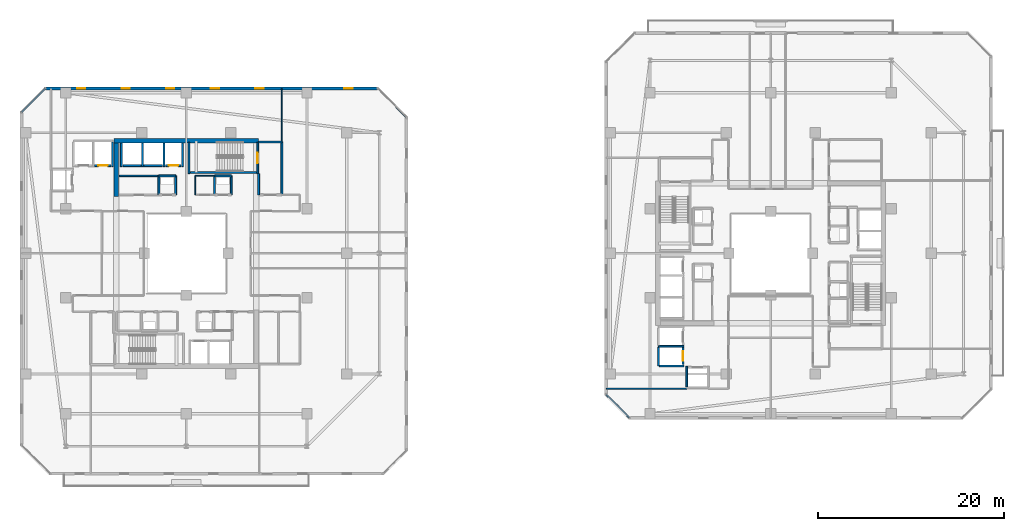
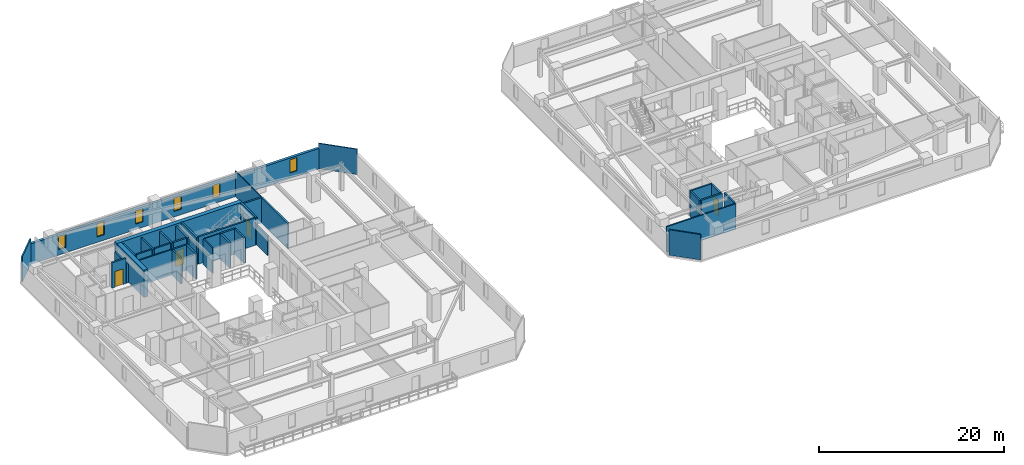
# One storey, part 22 of 33: 37 walls, 6 windows, 4 doors, 10 openings.
"""IFC4 building model written with IfcOpenShell, lengths in metres."""

from ifc_helpers import new_model, si_unit, direction, frame, frame_2d, origin, place, context, subcontext, project, spatial, rectangle, extrude, material, layer, layer_set, type_object, element, fill, save


model = new_model("IFC4")

# Units and contexts
model_context = context("Model", 3, precision=1e-05, world=origin(), true_north=direction((0.0, 1.0)))
body_context = subcontext(model_context, "Body", "Model", "MODEL_VIEW")
ifc_project = project(units=[si_unit("LENGTHUNIT", "METRE"), si_unit("AREAUNIT", "SQUARE_METRE"), si_unit("VOLUMEUNIT", "CUBIC_METRE"), si_unit("PLANEANGLEUNIT", "RADIAN"), si_unit("MASSUNIT", "GRAM", prefix="KILO")], contexts=[model_context])

# Site, building, storey
site_placement = place(None, origin())
site = spatial("IfcSite", under=ifc_project, at=site_placement, CompositionType="ELEMENT")
building_placement = place(site_placement, origin())
building = spatial("IfcBuilding", under=site, at=building_placement, Name="Thornwick Lancets Civic Towers", CompositionType="ELEMENT")
storey_placement = place(building_placement, frame((0.0, 0.0, 163.5)))
storey = spatial("IfcBuildingStorey", under=building, at=storey_placement, Name="L43", CompositionType="ELEMENT", Elevation=163.5)

# Wall, opening, door
ifc_material_1 = material(Name="Concrete blockwork C40/50", Category="masonry")
ifc_layer_1 = layer(ifc_material_1, 0.199951171875, Name="Concrete blockwork C40/50")
ifc_layer_set_1 = layer_set([ifc_layer_1], Name="Concrete blockwork C40/50")
wall_type_1 = type_object("IfcWallType", Name="WALL_COMP_200", PredefinedType="STANDARD", material=ifc_layer_set_1)
wall_1_placement = place(storey_placement, frame((24.919921875, 36.449951171875, 0.0), z_axis=(0.0, 0.0, 1.0), x_axis=(-1.0, 0.0, 0.0)))
wall_1 = element("IfcWall", 1, at=wall_1_placement, inside=storey, type_object=wall_type_1, Name="L43 Hoistway Front Wall FL-A2", PredefinedType="STANDARD", context=body_context, shape_type="SweptSolid", body=[
    extrude(rectangle(XDim=1.639892578125, YDim=0.199951171875, at=frame_2d((0.81982421875, 0.0))), origin(), (0.0, 0.0, 1.0), 3.340087890625),
])
opening_1_placement = place(wall_1_placement, frame((0.31005859375, 0.0, 0.0)))
opening_1 = element("IfcOpeningElement", 2, at=opening_1_placement, cuts=wall_1, Name="Opening LD-FL-A2", PredefinedType="OPENING", context=body_context, shape_type="SweptSolid", body=[
    extrude(rectangle(XDim=1.02001953125, YDim=2.06005859375, at=frame_2d((0.510009765625, 1.030029296875))), frame((0.0, 0.10986328125, 0.0), z_axis=(0.0, -1.0, 0.0), x_axis=(1.0, 0.0, 0.0)), (0.0, 0.0, 1.0), 0.219970703125),
])
ifc_material_2 = material(Name="Brushed bronze stainless steel", Category="steel")
door_type_1 = type_object("IfcDoorType", Name="DOOR_LIFT_SLIDE", OperationType="SLIDING_TO_LEFT", PredefinedType="DOOR", material=ifc_material_2)
door_1_placement = place(opening_1_placement, origin())
door_1 = element("IfcDoor", 3, at=door_1_placement, inside=storey, type_object=door_type_1, Name="L43 Sliding Lift Landing Door LD-FL-A2", OperationType="SLIDING_TO_LEFT", OverallHeight=2.06005859375, OverallWidth=1.02001953125, PredefinedType="DOOR", context=body_context, shape_type="SweptSolid", body=[
    extrude(rectangle(XDim=1.02001953125, YDim=2.06005859375, at=frame_2d((0.510009765625, 1.030029296875))), frame((0.0, 0.02490234375, 0.0), z_axis=(0.0, -1.0, 0.0), x_axis=(1.0, 0.0, 0.0)), (0.0, 0.0, 1.0), 0.050048828125),
])
fill(opening_1, door_1)

# Walls
wall_2_placement = place(storey_placement, frame((22.919921875, 36.449951171875, 0.0), z_axis=(0.0, 0.0, 1.0), x_axis=(-1.0, 0.0, 0.0)))
element("IfcWall", 4, at=wall_2_placement, inside=storey, type_object=wall_type_1, Name="L43 Hoistway Front Wall PL-AH2", PredefinedType="STANDARD", context=body_context, shape_type="SweptSolid", body=[
    extrude(rectangle(XDim=1.989990234375, YDim=0.199951171875, at=frame_2d((0.9951171875, 0.0))), origin(), (0.0, 0.0, 1.0), 3.340087890625),
])
wall_3_placement = place(storey_placement, frame((20.6201171875, 36.449951171875, 0.0), z_axis=(0.0, 0.0, 1.0), x_axis=(-1.0, 0.0, 0.0)))
element("IfcWall", 5, at=wall_3_placement, inside=storey, type_object=wall_type_1, Name="L43 Hoistway Front Wall PL-AH3", PredefinedType="STANDARD", context=body_context, shape_type="SweptSolid", body=[
    extrude(rectangle(XDim=1.940185546875, YDim=0.199951171875, at=frame_2d((0.97021484375, 0.0))), origin(), (0.0, 0.0, 1.0), 3.340087890625),
])

# Wall, opening, door
wall_4_placement = place(storey_placement, frame((17.3701171875, 36.449951171875, 0.0), z_axis=(0.0, 0.0, 1.0), x_axis=(-1.0, 0.0, 0.0)))
wall_4 = element("IfcWall", 6, at=wall_4_placement, inside=storey, type_object=wall_type_1, Name="L43 Hoistway Front Wall PL-AM1", PredefinedType="STANDARD", context=body_context, shape_type="SweptSolid", body=[
    extrude(rectangle(XDim=1.740234375, YDim=0.199951171875, at=frame_2d((0.8701171875, 0.0))), origin(), (0.0, 0.0, 1.0), 3.340087890625),
])
opening_2_placement = place(wall_4_placement, frame((0.360107421875, 0.0, 0.0)))
opening_2 = element("IfcOpeningElement", 7, at=opening_2_placement, cuts=wall_4, Name="Opening LD-PL-AM1", PredefinedType="OPENING", context=body_context, shape_type="SweptSolid", body=[
    extrude(rectangle(XDim=1.02001953125, YDim=2.06005859375, at=frame_2d((0.510009765625, 1.030029296875))), frame((0.0, 0.10986328125, 0.0), z_axis=(0.0, -1.0, 0.0), x_axis=(1.0, 0.0, 0.0)), (0.0, 0.0, 1.0), 0.219970703125),
])
door_2_placement = place(opening_2_placement, origin())
door_2 = element("IfcDoor", 8, at=door_2_placement, inside=storey, type_object=door_type_1, Name="L43 Sliding Lift Landing Door LD-PL-AM1", OperationType="SLIDING_TO_LEFT", OverallHeight=2.06005859375, OverallWidth=1.02001953125, PredefinedType="DOOR", context=body_context, shape_type="SweptSolid", body=[
    extrude(rectangle(XDim=1.02001953125, YDim=2.06005859375, at=frame_2d((0.510009765625, 1.030029296875))), frame((0.0, 0.02490234375, 0.0), z_axis=(0.0, -1.0, 0.0), x_axis=(1.0, 0.0, 0.0)), (0.0, 0.0, 1.0), 0.050048828125),
])
fill(opening_2, door_2)

wall_5_placement = place(storey_placement, frame((79.050048828125, 15.030029296875, 0.0), z_axis=(0.0, 0.0, 1.0), x_axis=(0.0, 1.0, 0.0)))
wall_5 = element("IfcWall", 9, at=wall_5_placement, inside=storey, type_object=wall_type_1, Name="L43 Hoistway Front Wall PL-BM2", PredefinedType="STANDARD", context=body_context, shape_type="SweptSolid", body=[
    extrude(rectangle(XDim=1.7900390625, YDim=0.199951171875, at=frame_2d((0.89501953125, 0.0))), origin(), (0.0, 0.0, 1.0), 3.340087890625),
])
opening_3_placement = place(wall_5_placement, frame((0.385009765625, 0.0, 0.0)))
opening_3 = element("IfcOpeningElement", 10, at=opening_3_placement, cuts=wall_5, Name="Opening LD-PL-BM2", PredefinedType="OPENING", context=body_context, shape_type="SweptSolid", body=[
    extrude(rectangle(XDim=1.02001953125, YDim=2.06005859375, at=frame_2d((0.510009765625, 1.030029296875))), frame((0.0, 0.10986328125, 0.0), z_axis=(0.0, -1.0, 0.0), x_axis=(1.0, 0.0, 0.0)), (0.0, 0.0, 1.0), 0.219970703125),
])
door_3_placement = place(opening_3_placement, origin())
door_3 = element("IfcDoor", 11, at=door_3_placement, inside=storey, type_object=door_type_1, Name="L43 Sliding Lift Landing Door LD-PL-BM2", OperationType="SLIDING_TO_LEFT", OverallHeight=2.06005859375, OverallWidth=1.02001953125, PredefinedType="DOOR", context=body_context, shape_type="SweptSolid", body=[
    extrude(rectangle(XDim=1.02001953125, YDim=2.06005859375, at=frame_2d((0.510009765625, 1.030029296875))), frame((0.0, 0.02490234375, 0.0), z_axis=(0.0, -1.0, 0.0), x_axis=(1.0, 0.0, 0.0)), (0.0, 0.0, 1.0), 0.050048828125),
])
fill(opening_3, door_3)

# Walls
for number, where, z_axis, x_axis, name in (
    (12, (25.10009765625, 36.35205078125, 0.0), (0.0, 0.0, 1.0), (0.0, 1.0, 0.0), "L43 Hoistway Shaft Wall FL-A2 E"),
    (13, (23.10009765625, 36.35205078125, 0.0), (0.0, 0.0, 1.0), (0.0, 1.0, 0.0), "L43 Hoistway Shaft Wall FL-A2 W"),
    (14, (20.77490234375, 36.35205078125, 0.0), (0.0, 0.0, 1.0), (0.0, 1.0, 0.0), "L43 Hoistway Shaft Wall PL-AH2 W"),
    (15, (18.5, 36.35205078125, 0.0), (0.0, 0.0, 1.0), (0.0, 1.0, 0.0), "L43 Hoistway Shaft Wall PL-AH3 W"),
):
    element("IfcWall", number, at=place(storey_placement, frame(where, z_axis=z_axis, x_axis=x_axis)), inside=storey, type_object=wall_type_1, Name=name, PredefinedType="STANDARD", context=body_context, shape_type="SweptSolid", body=[
        extrude(rectangle(XDim=2.535888671875, YDim=0.199951171875, at=frame_2d((1.26806640625, 0.0))), origin(), (0.0, 0.0, 1.0), 3.340087890625),
    ])
wall_6_placement = place(storey_placement, frame((17.550048828125, 36.35205078125, 0.0), z_axis=(0.0, 0.0, 1.0), x_axis=(0.0, 1.0, 0.0)))
element("IfcWall", 16, at=wall_6_placement, inside=storey, type_object=wall_type_1, Name="L43 Hoistway Shaft Wall PL-AM1 E", PredefinedType="STANDARD", context=body_context, shape_type="SweptSolid", body=[
    extrude(rectangle(XDim=2.635986328125, YDim=0.199951171875, at=frame_2d((1.31787109375, 0.0))), origin(), (0.0, 0.0, 1.0), 2.544921875),
])
wall_7_placement = place(storey_placement, frame((76.402099609375, 16.97509765625, 0.0), z_axis=(0.0, 0.0, 1.0), x_axis=(1.0, 0.0, 0.0)))
element("IfcWall", 17, at=wall_7_placement, inside=storey, type_object=wall_type_1, Name="L43 Hoistway Shaft Wall PL-BM1 S", PredefinedType="STANDARD", context=body_context, shape_type="SweptSolid", body=[
    extrude(rectangle(XDim=2.745849609375, YDim=0.199951171875, at=frame_2d((1.373046875, 0.0))), origin(), (0.0, 0.0, 1.0), 3.340087890625),
])
wall_8_placement = place(storey_placement, frame((76.39990234375, 14.85205078125, 0.0), z_axis=(0.0, 0.0, 1.0), x_axis=(0.0, 1.0, 0.0)))
element("IfcWall", 18, at=wall_8_placement, inside=storey, type_object=wall_type_1, Name="L43 Hoistway Shaft Wall PL-BM1 W", PredefinedType="STANDARD", context=body_context, shape_type="SweptSolid", body=[
    extrude(rectangle(XDim=2.015869140625, YDim=0.199951171875, at=frame_2d((1.0078125, 0.0))), origin(), (0.0, 0.0, 1.0), 3.340087890625),
])
wall_9_placement = place(storey_placement, frame((76.511962890625, 14.85009765625, 0.0), z_axis=(0.0, 0.0, 1.0), x_axis=(1.0, 0.0, 0.0)))
element("IfcWall", 19, at=wall_9_placement, inside=storey, type_object=wall_type_1, Name="L43 Hoistway Shaft Wall PL-BM2 S", PredefinedType="STANDARD", context=body_context, shape_type="SweptSolid", body=[
    extrude(rectangle(XDim=2.635986328125, YDim=0.199951171875, at=frame_2d((1.31787109375, 0.0))), origin(), (0.0, 0.0, 1.0), 3.340087890625),
])
wall_10_placement = place(storey_placement, frame((79.449951171875, 12.612060546875, 0.0), z_axis=(0.0, 0.0, 1.0), x_axis=(0.0, 1.0, 0.0)))
element("IfcWall", 20, at=wall_10_placement, inside=storey, type_object=wall_type_1, Name="L43 Hoistway Shaft Wall PL-BM3 W", PredefinedType="STANDARD", context=body_context, shape_type="SweptSolid", body=[
    extrude(rectangle(XDim=2.18603515625, YDim=0.199951171875, at=frame_2d((1.093017578125, 0.0))), origin(), (0.0, 0.0, 1.0), 3.340087890625),
])
wall_11_placement = place(storey_placement, frame((35.800048828125, 33.300048828125, 0.0), z_axis=(0.0, 0.0, 1.0), x_axis=(0.0, 1.0, 0.0)))
element("IfcWall", 21, at=wall_11_placement, inside=storey, type_object=wall_type_1, Name="L43 Partition L43-A-FFLOB2 E2", PredefinedType="STANDARD", context=body_context, shape_type="SweptSolid", body=[
    extrude(rectangle(XDim=5.699951171875, YDim=0.199951171875, at=frame_2d((2.85009765625, 0.0))), origin(), (0.0, 0.0, 1.0), 3.340087890625),
])
wall_12_placement = place(storey_placement, frame((35.800048828125, 39.0, 0.0), z_axis=(0.0, 0.0, 1.0), x_axis=(-1.0, 0.0, 0.0)))
element("IfcWall", 22, at=wall_12_placement, inside=storey, type_object=wall_type_1, Name="L43 Partition L43-A-FFLOB2 E3", PredefinedType="STANDARD", context=body_context, shape_type="SweptSolid", body=[
    extrude(rectangle(XDim=2.5, YDim=0.199951171875, at=frame_2d((1.25, 0.0))), origin(), (0.0, 0.0, 1.0), 3.340087890625),
])
wall_13_placement = place(storey_placement, frame((33.300048828125, 35.60009765625, 0.0), z_axis=(0.0, 0.0, 1.0), x_axis=(0.0, -1.0, 0.0)))
element("IfcWall", 23, at=wall_13_placement, inside=storey, type_object=wall_type_1, Name="L43 Partition L43-A-FFLOB2 E4", PredefinedType="STANDARD", context=body_context, shape_type="SweptSolid", body=[
    extrude(rectangle(XDim=2.300048828125, YDim=0.199951171875, at=frame_2d((1.14990234375, 0.0))), origin(), (0.0, 0.0, 1.0), 2.544921875),
])
wall_14_placement = place(storey_placement, frame((24.35009765625, 33.300048828125, 0.0), z_axis=(0.0, 0.0, 1.0), x_axis=(0.0, 1.0, 0.0)))
element("IfcWall", 24, at=wall_14_placement, inside=storey, type_object=wall_type_1, Name="L43 Partition L43-A-DUCT2 E2", PredefinedType="STANDARD", context=body_context, shape_type="SweptSolid", body=[
    extrude(rectangle(XDim=2.050048828125, YDim=0.199951171875, at=frame_2d((1.02490234375, 0.0))), origin(), (0.0, 0.0, 1.0), 3.340087890625),
])
wall_15_placement = place(storey_placement, frame((24.35009765625, 35.35009765625, 0.0), z_axis=(0.0, 0.0, 1.0), x_axis=(-1.0, 0.0, 0.0)))
element("IfcWall", 25, at=wall_15_placement, inside=storey, type_object=wall_type_1, Name="L43 Partition L43-A-DUCT2 E3", PredefinedType="STANDARD", context=body_context, shape_type="SweptSolid", body=[
    extrude(rectangle(XDim=1.800048828125, YDim=0.199951171875, at=frame_2d((0.89990234375, 0.0))), origin(), (0.0, 0.0, 1.0), 3.340087890625),
])
for number, where, z_axis, x_axis, name in (
    (26, (22.550048828125, 35.35009765625, 0.0), (0.0, 0.0, 1.0), (0.0, -1.0, 0.0), "L43 Partition L43-A-DUCT2 E4"),
    (27, (30.35009765625, 33.300048828125, 0.0), (0.0, 0.0, 1.0), (0.0, 1.0, 0.0), "L43 Partition L43-A-RISER2 E2"),
):
    element("IfcWall", number, at=place(storey_placement, frame(where, z_axis=z_axis, x_axis=x_axis)), inside=storey, type_object=wall_type_1, Name=name, PredefinedType="STANDARD", context=body_context, shape_type="SweptSolid", body=[
        extrude(rectangle(XDim=2.050048828125, YDim=0.199951171875, at=frame_2d((1.02490234375, 0.0))), origin(), (0.0, 0.0, 1.0), 3.340087890625),
    ])
wall_16_placement = place(storey_placement, frame((30.35009765625, 35.35009765625, 0.0), z_axis=(0.0, 0.0, 1.0), x_axis=(-1.0, 0.0, 0.0)))
element("IfcWall", 28, at=wall_16_placement, inside=storey, type_object=wall_type_1, Name="L43 Partition L43-A-RISER2 E3", PredefinedType="STANDARD", context=body_context, shape_type="SweptSolid", body=[
    extrude(rectangle(XDim=1.800048828125, YDim=0.199951171875, at=frame_2d((0.89990234375, 0.0))), origin(), (0.0, 0.0, 1.0), 3.340087890625),
])
wall_17_placement = place(storey_placement, frame((28.550048828125, 35.35009765625, 0.0), z_axis=(0.0, 0.0, 1.0), x_axis=(0.0, -1.0, 0.0)))
element("IfcWall", 29, at=wall_17_placement, inside=storey, type_object=wall_type_1, Name="L43 Partition L43-A-RISER2 E4", PredefinedType="STANDARD", context=body_context, shape_type="SweptSolid", body=[
    extrude(rectangle(XDim=2.050048828125, YDim=0.199951171875, at=frame_2d((1.02490234375, 0.0))), origin(), (0.0, 0.0, 1.0), 3.340087890625),
])
ifc_material_3 = material(Name="Concrete C50/60", Category="concrete")
ifc_layer_2 = layer(ifc_material_3, 0.5, Name="Concrete C50/60")
ifc_layer_set_2 = layer_set([ifc_layer_2], Name="Concrete C50/60")
wall_type_2 = type_object("IfcWallType", Name="WALL_CORE_500", PredefinedType="SHEAR", material=ifc_layer_set_2)
wall_18_placement = place(storey_placement, frame((17.699951171875, 39.14990234375, 0.0), z_axis=(0.0, 0.0, 1.0), x_axis=(1.0, 0.0, 0.0)))
element("IfcWall", 30, at=wall_18_placement, inside=storey, type_object=wall_type_2, Name="L43 Split Core A2 Shear Wall N", PredefinedType="SHEAR", context=body_context, shape_type="SweptSolid", body=[
    extrude(rectangle(XDim=15.60009765625, YDim=0.5, at=frame_2d((7.800048828125, 0.0))), origin(), (0.0, 0.0, 1.0), 3.60009765625),
])
wall_19_placement = place(storey_placement, frame((17.949951171875, 33.10009765625, 0.0), z_axis=(0.0, 0.0, 1.0), x_axis=(0.0, 1.0, 0.0)))
element("IfcWall", 31, at=wall_19_placement, inside=storey, type_object=wall_type_2, Name="L43 Split Core A2 Shear Wall W", PredefinedType="SHEAR", context=body_context, shape_type="SweptSolid", body=[
    extrude(rectangle(XDim=5.7998046875, YDim=0.5, at=frame_2d((2.89990234375, 0.0))), origin(), (0.0, 0.0, 1.0), 3.60009765625),
])

# Wall, openings, windows
ifc_material_4 = material(Name="Insulated buff terracotta rainscreen on concrete C40/50", Category="masonry")
ifc_layer_3 = layer(ifc_material_4, 0.320068359375, Name="Insulated buff terracotta rainscreen on concrete C40/50")
ifc_layer_set_3 = layer_set([ifc_layer_3], Name="Insulated buff terracotta rainscreen on concrete C40/50")
wall_type_3 = type_object("IfcWallType", Name="WALL_EXT_TERRA_320", PredefinedType="STANDARD", material=ifc_layer_set_3)
wall_20_placement = place(storey_placement, frame((46.12939453125, 44.7626953125, 0.0), z_axis=(0.0, 0.0, 1.0), x_axis=(-0.999999998513, 5.4540124e-05, 0.0)))
wall_20 = element("IfcWall", 32, at=wall_20_placement, inside=storey, type_object=wall_type_3, Name="L43 Tower A Terracotta Facade Wall E4", PredefinedType="STANDARD", context=body_context, shape_type="SweptSolid", body=[
    extrude(rectangle(XDim=35.810791015625, YDim=0.320068359375, at=frame_2d((17.9052734375, 0.0))), origin(), (0.0, 0.0, 1.0), 2.699951171875),
])
opening_4_placement = place(wall_20_placement, frame((2.699951171875, 0.0, 0.719970703125)))
opening_4 = element("IfcOpeningElement", 33, at=opening_4_placement, cuts=wall_20, Name="Opening WL-01", PredefinedType="OPENING", context=body_context, shape_type="SweptSolid", body=[
    extrude(rectangle(XDim=0.89990234375, YDim=1.75, at=frame_2d((0.449951171875, 0.875))), frame((0.0, 0.169921875, 0.0), z_axis=(0.0, -1.0, 0.0), x_axis=(1.0, 0.0, 0.0)), (0.0, 0.0, 1.0), 0.340087890625),
])
opening_5_placement = place(wall_20_placement, frame((12.300048828125, 0.0, 0.719970703125)))
opening_5 = element("IfcOpeningElement", 34, at=opening_5_placement, cuts=wall_20, Name="Opening WL-01", PredefinedType="OPENING", context=body_context, shape_type="SweptSolid", body=[
    extrude(rectangle(XDim=0.89990234375, YDim=1.75, at=frame_2d((0.449951171875, 0.875))), frame((0.0, 0.169921875, 0.0), z_axis=(0.0, -1.0, 0.0), x_axis=(1.0, 0.0, 0.0)), (0.0, 0.0, 1.0), 0.340087890625),
])
opening_6_placement = place(wall_20_placement, frame((17.10009765625, 0.0, 0.719970703125)))
opening_6 = element("IfcOpeningElement", 35, at=opening_6_placement, cuts=wall_20, Name="Opening WL-01", PredefinedType="OPENING", context=body_context, shape_type="SweptSolid", body=[
    extrude(rectangle(XDim=0.89990234375, YDim=1.75, at=frame_2d((0.449951171875, 0.875))), frame((0.0, 0.169921875, 0.0), z_axis=(0.0, -1.0, 0.0), x_axis=(1.0, 0.0, 0.0)), (0.0, 0.0, 1.0), 0.340087890625),
])
opening_7_placement = place(wall_20_placement, frame((21.89990234375, 0.0, 0.719970703125)))
opening_7 = element("IfcOpeningElement", 36, at=opening_7_placement, cuts=wall_20, Name="Opening WL-01", PredefinedType="OPENING", context=body_context, shape_type="SweptSolid", body=[
    extrude(rectangle(XDim=0.89990234375, YDim=1.75, at=frame_2d((0.449951171875, 0.875))), frame((0.0, 0.169921875, 0.0), z_axis=(0.0, -1.0, 0.0), x_axis=(1.0, 0.0, 0.0)), (0.0, 0.0, 1.0), 0.340087890625),
])
opening_8_placement = place(wall_20_placement, frame((26.699951171875, 0.0, 0.719970703125)))
opening_8 = element("IfcOpeningElement", 37, at=opening_8_placement, cuts=wall_20, Name="Opening WL-01", PredefinedType="OPENING", context=body_context, shape_type="SweptSolid", body=[
    extrude(rectangle(XDim=0.89990234375, YDim=1.75, at=frame_2d((0.449951171875, 0.875))), frame((0.0, 0.169921875, 0.0), z_axis=(0.0, -1.0, 0.0), x_axis=(1.0, 0.0, 0.0)), (0.0, 0.0, 1.0), 0.340087890625),
])
opening_9_placement = place(wall_20_placement, frame((31.5, 0.0, 0.719970703125)))
opening_9 = element("IfcOpeningElement", 38, at=opening_9_placement, cuts=wall_20, Name="Opening WL-01", PredefinedType="OPENING", context=body_context, shape_type="SweptSolid", body=[
    extrude(rectangle(XDim=0.89990234375, YDim=1.75, at=frame_2d((0.449951171875, 0.875))), frame((0.0, 0.169921875, 0.0), z_axis=(0.0, -1.0, 0.0), x_axis=(1.0, 0.0, 0.0)), (0.0, 0.0, 1.0), 0.340087890625),
])
ifc_material_5 = material(Name="Clear low-e double glazing in bronze frame", Category="glass")
window_type = type_object("IfcWindowType", Name="WIN_LANCET_900", PartitioningType="SINGLE_PANEL", PredefinedType="WINDOW", material=ifc_material_5)
window_1_placement = place(opening_4_placement, origin())
window_1 = element("IfcWindow", 39, at=window_1_placement, inside=storey, type_object=window_type, Name="L43 Tower A Staggered Lancet Window E4-1", OverallHeight=1.75, OverallWidth=0.89990234375, PartitioningType="SINGLE_PANEL", PredefinedType="WINDOW", context=body_context, shape_type="SweptSolid", body=[
    extrude(rectangle(XDim=0.89990234375, YDim=1.75, at=frame_2d((0.449951171875, 0.875))), frame((0.0, 0.030029296875, 0.0), z_axis=(0.0, -1.0, 0.0), x_axis=(1.0, 0.0, 0.0)), (0.0, 0.0, 1.0), 0.06005859375),
])
fill(opening_4, window_1)
window_2_placement = place(opening_5_placement, origin())
window_2 = element("IfcWindow", 40, at=window_2_placement, inside=storey, type_object=window_type, Name="L43 Tower A Staggered Lancet Window E4-2", OverallHeight=1.75, OverallWidth=0.89990234375, PartitioningType="SINGLE_PANEL", PredefinedType="WINDOW", context=body_context, shape_type="SweptSolid", body=[
    extrude(rectangle(XDim=0.89990234375, YDim=1.75, at=frame_2d((0.449951171875, 0.875))), frame((0.0, 0.030029296875, 0.0), z_axis=(0.0, -1.0, 0.0), x_axis=(1.0, 0.0, 0.0)), (0.0, 0.0, 1.0), 0.06005859375),
])
fill(opening_5, window_2)
window_3_placement = place(opening_6_placement, origin())
window_3 = element("IfcWindow", 41, at=window_3_placement, inside=storey, type_object=window_type, Name="L43 Tower A Staggered Lancet Window E4-3", OverallHeight=1.75, OverallWidth=0.89990234375, PartitioningType="SINGLE_PANEL", PredefinedType="WINDOW", context=body_context, shape_type="SweptSolid", body=[
    extrude(rectangle(XDim=0.89990234375, YDim=1.75, at=frame_2d((0.449951171875, 0.875))), frame((0.0, 0.030029296875, 0.0), z_axis=(0.0, -1.0, 0.0), x_axis=(1.0, 0.0, 0.0)), (0.0, 0.0, 1.0), 0.06005859375),
])
fill(opening_6, window_3)
window_4_placement = place(opening_7_placement, origin())
window_4 = element("IfcWindow", 42, at=window_4_placement, inside=storey, type_object=window_type, Name="L43 Tower A Staggered Lancet Window E4-4", OverallHeight=1.75, OverallWidth=0.89990234375, PartitioningType="SINGLE_PANEL", PredefinedType="WINDOW", context=body_context, shape_type="SweptSolid", body=[
    extrude(rectangle(XDim=0.89990234375, YDim=1.75, at=frame_2d((0.449951171875, 0.875))), frame((0.0, 0.030029296875, 0.0), z_axis=(0.0, -1.0, 0.0), x_axis=(1.0, 0.0, 0.0)), (0.0, 0.0, 1.0), 0.06005859375),
])
fill(opening_7, window_4)
window_5_placement = place(opening_8_placement, origin())
window_5 = element("IfcWindow", 43, at=window_5_placement, inside=storey, type_object=window_type, Name="L43 Tower A Staggered Lancet Window E4-5", OverallHeight=1.75, OverallWidth=0.89990234375, PartitioningType="SINGLE_PANEL", PredefinedType="WINDOW", context=body_context, shape_type="SweptSolid", body=[
    extrude(rectangle(XDim=0.89990234375, YDim=1.75, at=frame_2d((0.449951171875, 0.875))), frame((0.0, 0.030029296875, 0.0), z_axis=(0.0, -1.0, 0.0), x_axis=(1.0, 0.0, 0.0)), (0.0, 0.0, 1.0), 0.06005859375),
])
fill(opening_8, window_5)
window_6_placement = place(opening_9_placement, origin())
window_6 = element("IfcWindow", 44, at=window_6_placement, inside=storey, type_object=window_type, Name="L43 Tower A Staggered Lancet Window E4-6", OverallHeight=1.75, OverallWidth=0.89990234375, PartitioningType="SINGLE_PANEL", PredefinedType="WINDOW", context=body_context, shape_type="SweptSolid", body=[
    extrude(rectangle(XDim=0.89990234375, YDim=1.75, at=frame_2d((0.449951171875, 0.875))), frame((0.0, 0.030029296875, 0.0), z_axis=(0.0, -1.0, 0.0), x_axis=(1.0, 0.0, 0.0)), (0.0, 0.0, 1.0), 0.06005859375),
])
fill(opening_9, window_6)

# Walls
ifc_material_6 = material(Name="Acoustic gypsum board partition")
ifc_layer_4 = layer(ifc_material_6, 0.1201171875, Name="Acoustic gypsum board partition")
ifc_layer_set_4 = layer_set([ifc_layer_4], Name="Acoustic gypsum board partition")
wall_type_4 = type_object("IfcWallType", Name="WALL_PART_120", PredefinedType="PARTITIONING", material=ifc_layer_set_4)
wall_21_placement = place(storey_placement, frame((26.449951171875, 33.300048828125, 0.0), z_axis=(0.0, 0.0, 1.0), x_axis=(0.0, 1.0, 0.0)))
element("IfcWall", 45, at=wall_21_placement, inside=storey, type_object=wall_type_4, Name="L43 Partition L43-A-ITR E1", PredefinedType="PARTITIONING", context=body_context, shape_type="SweptSolid", body=[
    extrude(rectangle(XDim=2.050048828125, YDim=0.1201171875, at=frame_2d((1.02490234375, 0.0))), origin(), (0.0, 0.0, 1.0), 3.340087890625),
])
wall_22_placement = place(storey_placement, frame((26.449951171875, 35.35009765625, 0.0), z_axis=(0.0, 0.0, 1.0), x_axis=(1.0, 0.0, 0.0)))
element("IfcWall", 46, at=wall_22_placement, inside=storey, type_object=wall_type_4, Name="L43 Partition L43-A-ITR E2", PredefinedType="PARTITIONING", context=body_context, shape_type="SweptSolid", body=[
    extrude(rectangle(XDim=2.10009765625, YDim=0.1201171875, at=frame_2d((1.050048828125, 0.0))), origin(), (0.0, 0.0, 1.0), 3.340087890625),
])
wall_23_placement = place(storey_placement, frame((35.800048828125, 39.0, 0.0), z_axis=(0.0, 0.0, 1.0), x_axis=(0.0, 1.0, 0.0)))
element("IfcWall", 47, at=wall_23_placement, inside=storey, type_object=wall_type_4, Name="L43 Partition L43-A-E4 E6", PredefinedType="PARTITIONING", context=body_context, shape_type="SweptSolid", body=[
    extrude(rectangle(XDim=5.719970703125, YDim=0.1201171875, at=frame_2d((2.85986328125, 0.0))), origin(), (0.0, 0.0, 1.0), 3.340087890625),
])
wall_24_placement = place(storey_placement, frame((46.17138671875, 44.719970703125, 0.0), z_axis=(0.0, 0.0, 1.0), x_axis=(0.707106781187, -0.707106781187, 0.0)))
element("IfcWall", 48, at=wall_24_placement, inside=storey, type_object=wall_type_4, Name="L43 Partition L43-A-E4 E8", PredefinedType="PARTITIONING", context=body_context, shape_type="SweptSolid", body=[
    extrude(rectangle(XDim=4.311279296875, YDim=0.1201171875, at=frame_2d((2.15576171875, 0.0))), origin(), (0.0, 0.0, 1.0), 3.340087890625),
])
ifc_material_7 = material(Name="Twin-stud acoustic gypsum board")
ifc_layer_5 = layer(ifc_material_7, 0.14990234375, Name="Twin-stud acoustic gypsum board")
ifc_layer_set_5 = layer_set([ifc_layer_5], Name="Twin-stud acoustic gypsum board")
wall_type_5 = type_object("IfcWallType", Name="WALL_PART_150", PredefinedType="PARTITIONING", material=ifc_layer_set_5)
wall_25_placement = place(storey_placement, frame((18.300048828125, 35.35009765625, 0.0), z_axis=(0.0, 0.0, 1.0), x_axis=(1.0, 0.0, 0.0)))
element("IfcWall", 49, at=wall_25_placement, inside=storey, type_object=wall_type_5, Name="L43 Partition L43-A-FWC E2", PredefinedType="PARTITIONING", context=body_context, shape_type="SweptSolid", body=[
    extrude(rectangle(XDim=4.25, YDim=0.14990234375, at=frame_2d((2.125, 0.0))), origin(), (0.0, 0.0, 1.0), 3.340087890625),
])
for number, where, z_axis, x_axis, name in (
    (50, (7.780029296875, 42.225341796875, 0.0), (0.0, 0.0, 1.0), (0.707106781187, 0.707106781187, 0.0), "L43 Partition L43-A-W2 E5"),
    (51, (73.274658203125, 9.280029296875, 0.0), (0.0, 0.0, 1.0), (-0.707106781187, 0.707106781187, 0.0), "L43 Partition L43-B-W2 E5"),
):
    element("IfcWall", number, at=place(storey_placement, frame(where, z_axis=z_axis, x_axis=x_axis)), inside=storey, type_object=wall_type_5, Name=name, PredefinedType="PARTITIONING", context=body_context, shape_type="SweptSolid", body=[
        extrude(rectangle(XDim=3.52783203125, YDim=0.14990234375, at=frame_2d((1.763916015625, 0.0))), origin(), (0.0, 0.0, 1.0), 3.340087890625),
    ])
wall_26_placement = place(storey_placement, frame((70.780029296875, 12.39990234375, 0.0), z_axis=(0.0, 0.0, 1.0), x_axis=(1.0, 0.0, 0.0)))
element("IfcWall", 52, at=wall_26_placement, inside=storey, type_object=wall_type_5, Name="L43 Partition L43-B-W2 E7", PredefinedType="PARTITIONING", context=body_context, shape_type="SweptSolid", body=[
    extrude(rectangle(XDim=8.671875, YDim=0.14990234375, at=frame_2d((4.3359375, 0.0))), origin(), (0.0, 0.0, 1.0), 3.340087890625),
])

# Wall, opening, door
ifc_material_8 = material(Name="Concrete C40/50", Category="concrete")
ifc_layer_6 = layer(ifc_material_8, 0.199951171875, Name="Concrete C40/50")
ifc_layer_set_6 = layer_set([ifc_layer_6], Name="Concrete C40/50")
wall_type_6 = type_object("IfcWallType", Name="WALL_SHAFT_200", PredefinedType="SHEAR", material=ifc_layer_set_6)
wall_27_placement = place(storey_placement, frame((33.199951171875, 38.949951171875, 0.0), z_axis=(0.0, 0.0, 1.0), x_axis=(0.0, -1.0, 0.0)))
wall_27 = element("IfcWall", 53, at=wall_27_placement, inside=storey, type_object=wall_type_6, Name="L43 ST-A2 Fire Stair Core Wall NEAR", PredefinedType="SHEAR", context=body_context, shape_type="SweptSolid", body=[
    extrude(rectangle(XDim=3.349853515625, YDim=0.199951171875, at=frame_2d((1.6748046875, 0.0))), origin(), (0.0, 0.0, 1.0), 3.60009765625),
])
opening_10_placement = place(wall_27_placement, frame((1.125, 0.0, 0.0)))
opening_10 = element("IfcOpeningElement", 54, at=opening_10_placement, cuts=wall_27, Name="Opening D-ST-A2-L43", PredefinedType="OPENING", context=body_context, shape_type="SweptSolid", body=[
    extrude(rectangle(XDim=1.10009765625, YDim=2.10009765625, at=frame_2d((0.550048828125, 1.050048828125))), frame((0.0, 0.10986328125, 0.0), z_axis=(0.0, -1.0, 0.0), x_axis=(1.0, 0.0, 0.0)), (0.0, 0.0, 1.0), 0.219970703125),
])
ifc_material_9 = material(Name="Fire-resisting steel and hardwood", Category="steel")
door_type_2 = type_object("IfcDoorType", Name="DOOR_STAIR_FD60", OperationType="NOTDEFINED", PredefinedType="DOOR", material=ifc_material_9)
door_4_placement = place(opening_10_placement, origin())
door_4 = element("IfcDoor", 55, at=door_4_placement, inside=storey, type_object=door_type_2, Name="L43 ST-A2 Exit Stair Door", OperationType="SINGLE_SWING_LEFT", OverallHeight=2.10009765625, OverallWidth=1.10009765625, PredefinedType="DOOR", context=body_context, shape_type="SweptSolid", body=[
    extrude(rectangle(XDim=1.10009765625, YDim=2.10009765625, at=frame_2d((0.550048828125, 1.050048828125))), frame((0.0, 0.02490234375, 0.0), z_axis=(0.0, -1.0, 0.0), x_axis=(1.0, 0.0, 0.0)), (0.0, 0.0, 1.0), 0.050048828125),
])
fill(opening_10, door_4)

# Walls
wall_28_placement = place(storey_placement, frame((25.800048828125, 35.60009765625, 0.0), z_axis=(0.0, 0.0, 1.0), x_axis=(0.0, 1.0, 0.0)))
element("IfcWall", 56, at=wall_28_placement, inside=storey, type_object=wall_type_6, Name="L43 ST-A2 Fire Stair Core Wall FAR", PredefinedType="SHEAR", context=body_context, shape_type="SweptSolid", body=[
    extrude(rectangle(XDim=3.349853515625, YDim=0.199951171875, at=frame_2d((1.6748046875, 0.0))), origin(), (0.0, 0.0, 1.0), 3.60009765625),
])
wall_29_placement = place(storey_placement, frame((25.949951171875, 35.702880859375, 0.0), z_axis=(0.0, 0.0, 1.0), x_axis=(1.0, 0.0, 0.0)))
element("IfcWall", 57, at=wall_29_placement, inside=storey, type_object=wall_type_6, Name="L43 ST-A2 Fire Stair Core Wall RIGHT", PredefinedType="SHEAR", context=body_context, shape_type="SweptSolid", body=[
    extrude(rectangle(XDim=7.10009765625, YDim=0.199951171875, at=frame_2d((3.550048828125, 0.0))), origin(), (0.0, 0.0, 1.0), 3.60009765625),
])

save(model, "model.ifc")
